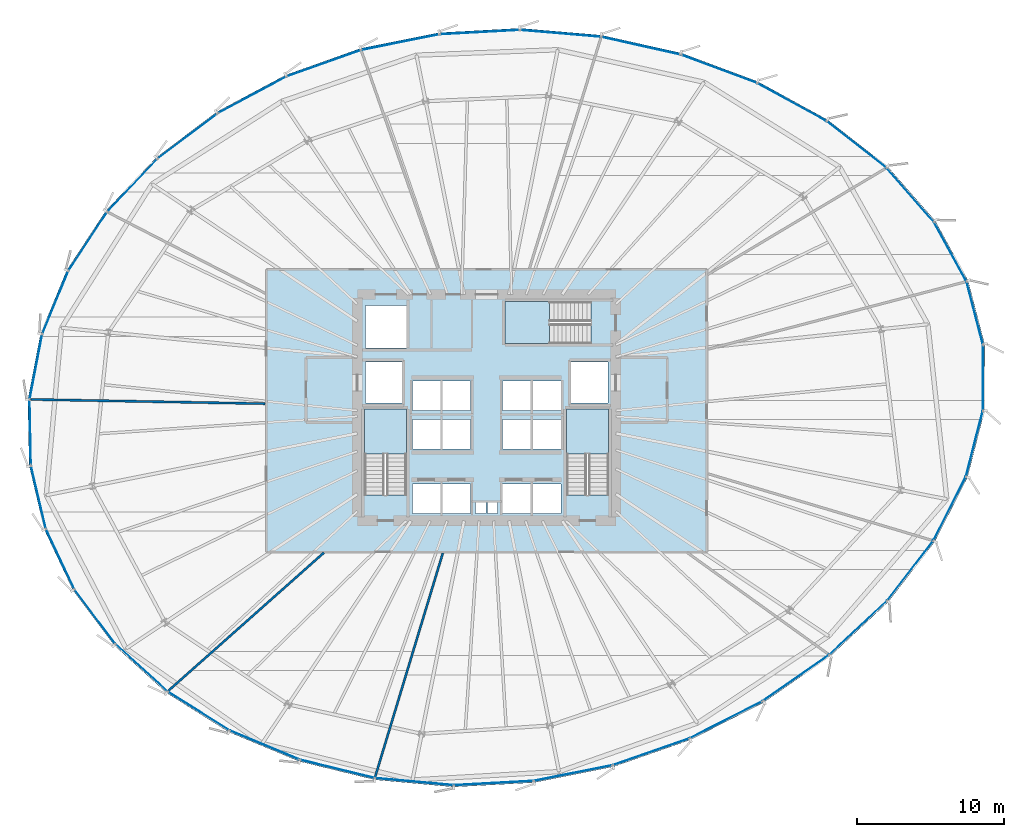
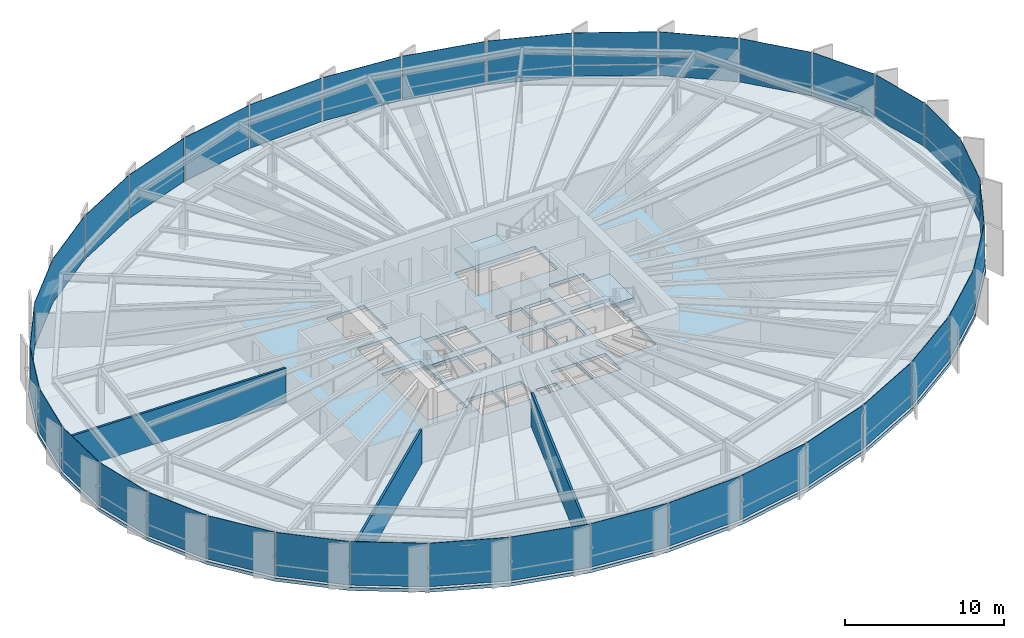
# One storey, part 29 of 37: 36 plates, 4 slabs, 3 walls, 9 elements without a shape of their own.
"""IFC4 building model written with IfcOpenShell, lengths in metres."""

from ifc_helpers import new_model, si_unit, direction, frame, frame_2d, origin, origin_2d, place, context, subcontext, project, spatial, polyline, rectangle, outline, extrude, source, transform, mapped, material, layer, layer_set, type_object, element, aggregate, save


model = new_model("IFC4")

# Units and contexts
model_context = context("Model", 3, precision=1e-05, world=origin(), true_north=direction((0.0, 1.0)))
body_context = subcontext(model_context, "Body", "Model", "MODEL_VIEW")
ifc_project = project(units=[si_unit("LENGTHUNIT", "METRE"), si_unit("AREAUNIT", "SQUARE_METRE"), si_unit("VOLUMEUNIT", "CUBIC_METRE"), si_unit("PLANEANGLEUNIT", "RADIAN"), si_unit("MASSUNIT", "GRAM", prefix="KILO"), si_unit("THERMODYNAMICTEMPERATUREUNIT", "KELVIN")], contexts=[model_context])

# Site, building, storey
site_placement = place(None, origin())
site = spatial("IfcSite", under=ifc_project, at=site_placement, CompositionType="ELEMENT")
building_placement = place(site_placement, origin())
building = spatial("IfcBuilding", under=site, at=building_placement, Name="Kethvar Cultural Tower", CompositionType="ELEMENT")
storey_placement = place(building_placement, frame((0.0, 0.0, 60.0)))
storey = spatial("IfcBuildingStorey", under=building, at=storey_placement, Name="L14", CompositionType="ELEMENT", Elevation=60.0)

# Stair, slab
ifc_material_1 = material(Name="Concrete C40/50", Category="concrete")
stair_type = type_object("IfcStairType", Name="ST-DOGLEG-135", PredefinedType="HALF_TURN_STAIR", material=ifc_material_1)
stair_1_placement = place(storey_placement, origin())
stair_1 = element("IfcStair", 1, at=stair_1_placement, inside=storey, type_object=stair_type, Name="L14 Core Exit Stair 1", PredefinedType="HALF_TURN_STAIR")
ifc_layer_1 = layer(ifc_material_1, 0.199951171875, Name="Concrete C40/50", Category="concrete")
ifc_layer_set_1 = layer_set([ifc_layer_1], Name="Concrete C40/50 (200 mm)")
slab_type_1 = type_object("IfcSlabType", Name="SL-STAIR-LANDING-200", PredefinedType="LANDING", material=ifc_layer_set_1)
slab_1_placement = place(storey_placement, frame((0.0, 0.0, 1.699951171875)))
slab_1 = element("IfcSlab", 2, at=slab_1_placement, type_object=slab_type_1, Name="ST-01 landing 1", PredefinedType="LANDING", context=body_context, shape_type="SweptSolid", body=[
    extrude(outline(polyline([(41.35009765625, 24.64990234375), (41.35009765625, 27.699951171875), (38.489990234375, 27.699951171875), (38.489990234375, 24.64990234375), (41.35009765625, 24.64990234375)])), origin(), (0.0, 0.0, 1.0), 0.199951171875),
])
aggregate(stair_1, [slab_1])

stair_2_placement = place(storey_placement, origin())
stair_2 = element("IfcStair", 3, at=stair_2_placement, inside=storey, type_object=stair_type, Name="L14 Core Exit Stair 2", PredefinedType="HALF_TURN_STAIR")
slab_2_placement = place(storey_placement, frame((0.0, 0.0, 1.699951171875)))
slab_2 = element("IfcSlab", 4, at=slab_2_placement, type_object=slab_type_1, Name="ST-02 landing 1", PredefinedType="LANDING", context=body_context, shape_type="SweptSolid", body=[
    extrude(outline(polyline([(55.110107421875, 24.64990234375), (55.110107421875, 27.699951171875), (52.25, 27.699951171875), (52.25, 24.64990234375), (55.110107421875, 24.64990234375)])), origin(), (0.0, 0.0, 1.0), 0.199951171875),
])
aggregate(stair_2, [slab_2])

stair_3_placement = place(storey_placement, origin())
stair_3 = element("IfcStair", 5, at=stair_3_placement, inside=storey, type_object=stair_type, Name="L14 Core Exit Stair 3", PredefinedType="HALF_TURN_STAIR")
slab_3_placement = place(storey_placement, frame((0.0, 0.0, 1.699951171875)))
slab_3 = element("IfcSlab", 6, at=slab_3_placement, type_object=slab_type_1, Name="ST-03 landing 1", PredefinedType="LANDING", context=body_context, shape_type="SweptSolid", body=[
    extrude(outline(polyline([(51.10009765625, 35.010009765625), (48.050048828125, 35.010009765625), (48.050048828125, 32.14990234375), (51.10009765625, 32.14990234375), (51.10009765625, 35.010009765625)])), origin(), (0.0, 0.0, 1.0), 0.199951171875),
])
aggregate(stair_3, [slab_3])

# Slab
ifc_layer_2 = layer(ifc_material_1, 0.25, Name="Concrete C40/50", Category="concrete")
ifc_layer_set_2 = layer_set([ifc_layer_2], Name="Concrete C40/50 (250 mm)")
slab_type_2 = type_object("IfcSlabType", Name="SL-TOW-250", PredefinedType="FLOOR", material=ifc_layer_set_2)
slab_4_placement = place(storey_placement, frame((0.0, 0.0, -0.25)))
element("IfcSlab", 7, at=slab_4_placement, inside=storey, type_object=slab_type_2, Name="L14 Structural Floor Slab", PredefinedType="FLOOR", context=body_context, shape_type="SweptSolid", body=[
    extrude(outline(polyline([(80.716796875, 32.084716796875), (79.57958984375, 36.444580078125), (77.3359375, 40.527587890625), (74.093505859375, 44.215087890625), (70.0078125, 47.402099609375), (65.265625, 49.99951171875), (60.06787109375, 51.935791015625), (54.60986328125, 53.156982421875), (49.06640625, 53.626708984375), (43.5751953125, 53.326904296875), (38.217041015625, 52.256103515625), (33.119384765625, 50.44189453125), (28.437744140625, 47.940185546875), (24.31396484375, 44.826171875), (20.873291015625, 41.195068359375), (18.220458984375, 37.15673828125), (16.43603515625, 32.834228515625), (15.57421875, 28.358642578125), (15.660888671875, 23.8662109375), (16.694091796875, 19.493408203125), (18.641845703125, 15.372802734375), (21.4453125, 11.6298828125), (25.01904296875, 8.378173828125), (29.254638671875, 5.716796875), (34.023193359375, 3.72607421875), (39.18017578125, 2.467041015625), (44.568603515625, 1.977783203125), (50.02490234375, 2.273193359375), (55.41796875, 3.348388671875), (60.67041015625, 5.181884765625), (65.6533203125, 7.721923828125), (70.206298828125, 10.89013671875), (74.153564453125, 14.585205078125), (77.318359375, 18.688232421875), (79.541748046875, 23.066162109375), (80.699462890625, 27.5791015625), (80.716796875, 32.084716796875)]), holes=[polyline([(38.489990234375, 21.85009765625), (38.489990234375, 27.699951171875), (41.35009765625, 27.699951171875), (41.35009765625, 21.85009765625), (38.489990234375, 21.85009765625)]), polyline([(52.25, 21.85009765625), (52.25, 27.699951171875), (55.110107421875, 27.699951171875), (55.110107421875, 21.85009765625), (52.25, 21.85009765625)]), polyline([(53.89990234375, 32.14990234375), (48.050048828125, 32.14990234375), (48.050048828125, 35.010009765625), (53.89990234375, 35.010009765625), (53.89990234375, 32.14990234375)]), polyline([(41.75, 22.60009765625), (43.64990234375, 22.60009765625), (43.64990234375, 20.60009765625), (41.75, 20.60009765625), (41.75, 22.60009765625)]), polyline([(43.800048828125, 22.60009765625), (45.699951171875, 22.60009765625), (45.699951171875, 20.60009765625), (43.800048828125, 20.60009765625), (43.800048828125, 22.60009765625)]), polyline([(47.89990234375, 22.60009765625), (49.800048828125, 22.60009765625), (49.800048828125, 20.60009765625), (47.89990234375, 20.60009765625), (47.89990234375, 22.60009765625)]), polyline([(49.949951171875, 22.60009765625), (51.85009765625, 22.60009765625), (51.85009765625, 20.60009765625), (49.949951171875, 20.60009765625), (49.949951171875, 22.60009765625)]), polyline([(41.75, 27.0), (43.64990234375, 27.0), (43.64990234375, 25.0), (41.75, 25.0), (41.75, 27.0)]), polyline([(43.800048828125, 27.0), (45.699951171875, 27.0), (45.699951171875, 25.0), (43.800048828125, 25.0), (43.800048828125, 27.0)]), polyline([(47.89990234375, 27.0), (49.800048828125, 27.0), (49.800048828125, 25.0), (47.89990234375, 25.0), (47.89990234375, 27.0)]), polyline([(49.949951171875, 27.0), (51.85009765625, 27.0), (51.85009765625, 25.0), (49.949951171875, 25.0), (49.949951171875, 27.0)]), polyline([(41.75, 29.60009765625), (43.64990234375, 29.60009765625), (43.64990234375, 27.60009765625), (41.75, 27.60009765625), (41.75, 29.60009765625)]), polyline([(43.800048828125, 29.60009765625), (45.699951171875, 29.60009765625), (45.699951171875, 27.60009765625), (43.800048828125, 27.60009765625), (43.800048828125, 29.60009765625)]), polyline([(47.89990234375, 29.60009765625), (49.800048828125, 29.60009765625), (49.800048828125, 27.60009765625), (47.89990234375, 27.60009765625), (47.89990234375, 29.60009765625)]), polyline([(49.949951171875, 29.60009765625), (51.85009765625, 29.60009765625), (51.85009765625, 27.60009765625), (49.949951171875, 27.60009765625), (49.949951171875, 29.60009765625)]), polyline([(38.550048828125, 30.89990234375), (41.050048828125, 30.89990234375), (41.050048828125, 28.10009765625), (38.550048828125, 28.10009765625), (38.550048828125, 30.89990234375)]), polyline([(52.550048828125, 30.89990234375), (55.050048828125, 30.89990234375), (55.050048828125, 28.10009765625), (52.550048828125, 28.10009765625), (52.550048828125, 30.89990234375)]), polyline([(38.550048828125, 34.75), (41.35009765625, 34.75), (41.35009765625, 31.85009765625), (38.550048828125, 31.85009765625), (38.550048828125, 34.75)]), polyline([(46.050048828125, 21.35009765625), (46.75, 21.35009765625), (46.75, 20.60009765625), (46.050048828125, 20.60009765625), (46.050048828125, 21.35009765625)]), polyline([(46.85009765625, 21.35009765625), (47.550048828125, 21.35009765625), (47.550048828125, 20.60009765625), (46.85009765625, 20.60009765625), (46.85009765625, 21.35009765625)])]), origin(), (0.0, 0.0, 1.0), 0.25),
])

# Curtain wall, plate
ifc_material_2 = material(Name="Aluminium 6063-T6", Category="aluminium")
ifc_layer_3 = layer(ifc_material_2, 0.179931640625, Name="Aluminium 6063-T6", Category="aluminium")
ifc_layer_set_3 = layer_set([ifc_layer_3], Name="Aluminium 6063-T6 (180 mm)")
curtain_wall_type = type_object("IfcCurtainWallType", Name="CW-SYS-02-Z1", PredefinedType="NOTDEFINED", material=ifc_layer_set_3)
curtain_wall_1_placement = place(storey_placement, origin())
curtain_wall_1 = element("IfcCurtainWall", 8, at=curtain_wall_1_placement, inside=storey, type_object=curtain_wall_type, Name="L14 Curtain Wall Run 03", PredefinedType="NOTDEFINED")
ifc_material_3 = material(Name="Insulated Low-E Solar Glass", Category="glass")
ifc_layer_4 = layer(ifc_material_3, 0.031982421875, Name="Insulated Low-E Solar Glass", Category="glass")
ifc_layer_set_4 = layer_set([ifc_layer_4], Name="Insulated Low-E Solar Glass (32 mm)")
plate_type = type_object("IfcPlateType", Name="CW-SYS-02-Z1-PNL", PredefinedType="CURTAIN_PANEL", material=ifc_layer_set_4)
shared_shape_1 = source(origin(), body_context, "Body", "SweptSolid", [
    extrude(rectangle(XDim=4.464111328125, YDim=0.031982421875, at=origin_2d()), origin(), (0.0, 0.0, 1.0), 3.35009765625),
])
plate_1_placement = place(storey_placement, frame((16.122802734375, 30.57373046875, 0.099853515625), z_axis=(0.0, 0.0, 1.0), x_axis=(-0.189112581374, -0.981955412209, 0.0)))
plate_1 = element("IfcPlate", 9, at=plate_1_placement, type_object=plate_type, Name="CW-L14-R03 Vision Glazing Panel 5", PredefinedType="CURTAIN_PANEL", context=body_context, shape_type="MappedRepresentation", body=[
    mapped(shared_shape_1, transform((0.0, 0.0, 0.0), scale=1.0)),
])

curtain_wall_2_placement = place(storey_placement, origin())
curtain_wall_2 = element("IfcCurtainWall", 10, at=curtain_wall_2_placement, inside=storey, type_object=curtain_wall_type, Name="L14 Curtain Wall Run 04", PredefinedType="NOTDEFINED")
plate_2_placement = place(storey_placement, frame((17.776611328125, 17.484375, 0.099853515625), z_axis=(0.0, 0.0, 1.0), x_axis=(0.427357863387, -0.904082549661, 0.0)))
plate_2 = element("IfcPlate", 11, at=plate_2_placement, type_object=plate_type, Name="CW-L14-R04 Vision Glazing Panel 2", PredefinedType="CURTAIN_PANEL", context=body_context, shape_type="MappedRepresentation", body=[
    mapped(shared_shape_1, transform((0.0, 0.0, 0.0), scale=1.0)),
])

curtain_wall_3_placement = place(storey_placement, origin())
curtain_wall_3 = element("IfcCurtainWall", 12, at=curtain_wall_3_placement, inside=storey, type_object=curtain_wall_type, Name="L14 Curtain Wall Run 01", PredefinedType="NOTDEFINED")
shared_shape_2 = source(origin(), body_context, "Body", "SweptSolid", [
    extrude(rectangle(XDim=4.412109375, YDim=0.031982421875, at=origin_2d()), origin(), (0.0, 0.0, 1.0), 3.35009765625),
])
plate_3_placement = place(storey_placement, frame((80.031982421875, 34.234375, 0.099853515625), z_axis=(0.0, 0.0, 1.0), x_axis=(-0.252440913299, 0.967612311462, 0.0)))
plate_3 = element("IfcPlate", 13, at=plate_3_placement, type_object=plate_type, Name="CW-L14-R01 Vision Glazing Panel 1", PredefinedType="CURTAIN_PANEL", context=body_context, shape_type="MappedRepresentation", body=[
    mapped(shared_shape_2, transform((0.0, 0.0, 0.0), scale=1.0)),
])

curtain_wall_4_placement = place(storey_placement, origin())
curtain_wall_4 = element("IfcCurtainWall", 14, at=curtain_wall_4_placement, inside=storey, type_object=curtain_wall_type, Name="L14 Curtain Wall Run 06", PredefinedType="NOTDEFINED")
plate_4_placement = place(storey_placement, frame((80.588134765625, 29.83251953125, 0.099853515625), z_axis=(0.0, 0.0, 1.0), x_axis=(0.003857168083, 0.9999925611, 0.0)))
plate_4 = element("IfcPlate", 15, at=plate_4_placement, type_object=plate_type, Name="CW-L14-R06 Vision Glazing Panel 6", PredefinedType="CURTAIN_PANEL", context=body_context, shape_type="MappedRepresentation", body=[
    mapped(shared_shape_2, transform((0.0, 0.0, 0.0), scale=1.0)),
])

# Plate
shared_shape_3 = source(origin(), body_context, "Body", "SweptSolid", [
    extrude(rectangle(XDim=4.565185546875, YDim=0.031982421875, at=origin_2d()), origin(), (0.0, 0.0, 1.0), 3.35009765625),
])
plate_5_placement = place(storey_placement, frame((78.3525390625, 38.42822265625, 0.099853515625), z_axis=(0.0, 0.0, 1.0), x_axis=(-0.481570130295, 0.876407559077, 0.0)))
plate_5 = element("IfcPlate", 16, at=plate_5_placement, type_object=plate_type, Name="CW-L14-R01 Vision Glazing Panel 2", PredefinedType="CURTAIN_PANEL", context=body_context, shape_type="MappedRepresentation", body=[
    mapped(shared_shape_3, transform((0.0, 0.0, 0.0), scale=1.0)),
])

shared_shape_4 = source(origin(), body_context, "Body", "SweptSolid", [
    extrude(rectangle(XDim=4.816650390625, YDim=0.031982421875, at=origin_2d()), origin(), (0.0, 0.0, 1.0), 3.35009765625),
])
plate_6_placement = place(storey_placement, frame((75.624755859375, 42.2919921875, 0.099853515625), z_axis=(0.0, 0.0, 1.0), x_axis=(-0.660316298834, 0.750987606751, 0.0)))
plate_6 = element("IfcPlate", 17, at=plate_6_placement, type_object=plate_type, Name="CW-L14-R01 Vision Glazing Panel 3", PredefinedType="CURTAIN_PANEL", context=body_context, shape_type="MappedRepresentation", body=[
    mapped(shared_shape_4, transform((0.0, 0.0, 0.0), scale=1.0)),
])

plate_7_placement = place(storey_placement, frame((78.322998046875, 20.931640625, 0.099853515625), z_axis=(0.0, 0.0, 1.0), x_axis=(0.452808224885, 0.891607935966, 0.0)))
plate_7 = element("IfcPlate", 18, at=plate_7_placement, type_object=plate_type, Name="CW-L14-R06 Vision Glazing Panel 4", PredefinedType="CURTAIN_PANEL", context=body_context, shape_type="MappedRepresentation", body=[
    mapped(shared_shape_4, transform((0.0, 0.0, 0.0), scale=1.0)),
])

shared_shape_5 = source(origin(), body_context, "Body", "SweptSolid", [
    extrude(rectangle(XDim=5.088134765625, YDim=0.031982421875, at=origin_2d()), origin(), (0.0, 0.0, 1.0), 3.35009765625),
])
plate_8_placement = place(storey_placement, frame((71.976806640625, 45.714111328125, 0.099853515625), z_axis=(0.0, 0.0, 1.0), x_axis=(-0.788504784301, 0.615028621394, 0.0)))
plate_8 = element("IfcPlate", 19, at=plate_8_placement, type_object=plate_type, Name="CW-L14-R01 Vision Glazing Panel 4", PredefinedType="CURTAIN_PANEL", context=body_context, shape_type="MappedRepresentation", body=[
    mapped(shared_shape_5, transform((0.0, 0.0, 0.0), scale=1.0)),
])

plate_9_placement = place(storey_placement, frame((75.64111328125, 16.7099609375, 0.099853515625), z_axis=(0.0, 0.0, 1.0), x_axis=(0.610781058086, 0.791799532131, 0.0)))
plate_9 = element("IfcPlate", 20, at=plate_9_placement, type_object=plate_type, Name="CW-L14-R06 Vision Glazing Panel 3", PredefinedType="CURTAIN_PANEL", context=body_context, shape_type="MappedRepresentation", body=[
    mapped(shared_shape_5, transform((0.0, 0.0, 0.0), scale=1.0)),
])

shared_shape_6 = source(origin(), body_context, "Body", "SweptSolid", [
    extrude(rectangle(XDim=5.313232421875, YDim=0.031982421875, at=origin_2d()), origin(), (0.0, 0.0, 1.0), 3.35009765625),
])
plate_10_placement = place(storey_placement, frame((67.5791015625, 48.595703125, 0.099853515625), z_axis=(0.0, 0.0, 1.0), x_axis=(-0.877045566694, 0.480407195972, 0.0)))
plate_10 = element("IfcPlate", 21, at=plate_10_placement, type_object=plate_type, Name="CW-L14-R01 Vision Glazing Panel 5", PredefinedType="CURTAIN_PANEL", context=body_context, shape_type="MappedRepresentation", body=[
    mapped(shared_shape_6, transform((0.0, 0.0, 0.0), scale=1.0)),
])

plate_11_placement = place(storey_placement, frame((72.097900390625, 12.8251953125, 0.099853515625), z_axis=(0.0, 0.0, 1.0), x_axis=(0.730031084018, 0.683413942181, 0.0)))
plate_11 = element("IfcPlate", 22, at=plate_11_placement, type_object=plate_type, Name="CW-L14-R06 Vision Glazing Panel 2", PredefinedType="CURTAIN_PANEL", context=body_context, shape_type="MappedRepresentation", body=[
    mapped(shared_shape_6, transform((0.0, 0.0, 0.0), scale=1.0)),
])

shared_shape_7 = source(origin(), body_context, "Body", "SweptSolid", [
    extrude(rectangle(XDim=5.453125, YDim=0.031982421875, at=origin_2d()), origin(), (0.0, 0.0, 1.0), 3.35009765625),
])
plate_12_placement = place(storey_placement, frame((62.625, 50.855224609375, 0.099853515625), z_axis=(0.0, 0.0, 1.0), x_axis=(-0.937087163963, 0.349095469945, 0.0)))
plate_12 = element("IfcPlate", 23, at=plate_12_placement, type_object=plate_type, Name="CW-L14-R01 Vision Glazing Panel 6", PredefinedType="CURTAIN_PANEL", context=body_context, shape_type="MappedRepresentation", body=[
    mapped(shared_shape_7, transform((0.0, 0.0, 0.0), scale=1.0)),
])

aggregate(curtain_wall_3, [plate_3, plate_5, plate_6, plate_8, plate_10, plate_12])

plate_13_placement = place(storey_placement, frame((67.861083984375, 9.404541015625, 0.099853515625), z_axis=(0.0, 0.0, 1.0), x_axis=(0.820840303202, 0.571157768606, 0.0)))
plate_13 = element("IfcPlate", 24, at=plate_13_placement, type_object=plate_type, Name="CW-L14-R06 Vision Glazing Panel 1", PredefinedType="CURTAIN_PANEL", context=body_context, shape_type="MappedRepresentation", body=[
    mapped(shared_shape_7, transform((0.0, 0.0, 0.0), scale=1.0)),
])

# Curtain wall, plate
curtain_wall_5_placement = place(storey_placement, origin())
curtain_wall_5 = element("IfcCurtainWall", 25, at=curtain_wall_5_placement, inside=storey, type_object=curtain_wall_type, Name="L14 Curtain Wall Run 02", PredefinedType="NOTDEFINED")
shared_shape_8 = source(origin(), body_context, "Body", "SweptSolid", [
    extrude(rectangle(XDim=5.499267578125, YDim=0.031982421875, at=origin_2d()), origin(), (0.0, 0.0, 1.0), 3.35009765625),
])
plate_14_placement = place(storey_placement, frame((57.3125, 52.42919921875, 0.099853515625), z_axis=(0.0, 0.0, 1.0), x_axis=(-0.975878673897, 0.21831356768, 0.0)))
plate_14 = element("IfcPlate", 26, at=plate_14_placement, type_object=plate_type, Name="CW-L14-R02 Vision Glazing Panel 1", PredefinedType="CURTAIN_PANEL", context=body_context, shape_type="MappedRepresentation", body=[
    mapped(shared_shape_8, transform((0.0, 0.0, 0.0), scale=1.0)),
])

curtain_wall_6_placement = place(storey_placement, origin())
curtain_wall_6 = element("IfcCurtainWall", 27, at=curtain_wall_6_placement, inside=storey, type_object=curtain_wall_type, Name="L14 Curtain Wall Run 05", PredefinedType="NOTDEFINED")
plate_15_placement = place(storey_placement, frame((63.107421875, 6.558837890625, 0.099853515625), z_axis=(0.0, 0.0, 1.0), x_axis=(0.890927274328, 0.454146002799, 0.0)))
plate_15 = element("IfcPlate", 28, at=plate_15_placement, type_object=plate_type, Name="CW-L14-R05 Vision Glazing Panel 6", PredefinedType="CURTAIN_PANEL", context=body_context, shape_type="MappedRepresentation", body=[
    mapped(shared_shape_8, transform((0.0, 0.0, 0.0), scale=1.0)),
])

# Plate
shared_shape_9 = source(origin(), body_context, "Body", "SweptSolid", [
    extrude(rectangle(XDim=5.4697265625, YDim=0.031982421875, at=origin_2d()), origin(), (0.0, 0.0, 1.0), 3.35009765625),
])
plate_16_placement = place(storey_placement, frame((51.827880859375, 53.272216796875, 0.099853515625), z_axis=(0.0, 0.0, 1.0), x_axis=(-0.996429779108, 0.084425679196, 0.0)))
plate_16 = element("IfcPlate", 29, at=plate_16_placement, type_object=plate_type, Name="CW-L14-R02 Vision Glazing Panel 2", PredefinedType="CURTAIN_PANEL", context=body_context, shape_type="MappedRepresentation", body=[
    mapped(shared_shape_9, transform((0.0, 0.0, 0.0), scale=1.0)),
])

shared_shape_10 = source(origin(), body_context, "Body", "SweptSolid", [
    extrude(rectangle(XDim=5.405517578125, YDim=0.031982421875, at=origin_2d()), origin(), (0.0, 0.0, 1.0), 3.35009765625),
])
plate_17_placement = place(storey_placement, frame((46.327392578125, 53.35693359375, 0.099853515625), z_axis=(0.0, 0.0, 1.0), x_axis=(-0.998513930245, -0.054497074291, 0.0)))
plate_17 = element("IfcPlate", 30, at=plate_17_placement, type_object=plate_type, Name="CW-L14-R02 Vision Glazing Panel 3", PredefinedType="CURTAIN_PANEL", context=body_context, shape_type="MappedRepresentation", body=[
    mapped(shared_shape_10, transform((0.0, 0.0, 0.0), scale=1.0)),
])

plate_18_placement = place(storey_placement, frame((52.697998046875, 2.928466796875, 0.099853515625), z_axis=(0.0, 0.0, 1.0), x_axis=(0.980696650244, 0.195535368157, 0.0)))
plate_18 = element("IfcPlate", 31, at=plate_18_placement, type_object=plate_type, Name="CW-L14-R05 Vision Glazing Panel 4", PredefinedType="CURTAIN_PANEL", context=body_context, shape_type="MappedRepresentation", body=[
    mapped(shared_shape_10, transform((0.0, 0.0, 0.0), scale=1.0)),
])

shared_shape_11 = source(origin(), body_context, "Body", "SweptSolid", [
    extrude(rectangle(XDim=5.37060546875, YDim=0.031982421875, at=origin_2d()), origin(), (0.0, 0.0, 1.0), 3.35009765625),
])
plate_19_placement = place(storey_placement, frame((40.919677734375, 52.673828125, 0.099853515625), z_axis=(0.0, 0.0, 1.0), x_axis=(-0.980607818138, -0.195980374032, 0.0)))
plate_19 = element("IfcPlate", 32, at=plate_19_placement, type_object=plate_type, Name="CW-L14-R02 Vision Glazing Panel 4", PredefinedType="CURTAIN_PANEL", context=body_context, shape_type="MappedRepresentation", body=[
    mapped(shared_shape_11, transform((0.0, 0.0, 0.0), scale=1.0)),
])

plate_20_placement = place(storey_placement, frame((47.290283203125, 2.245361328125, 0.099853515625), z_axis=(0.0, 0.0, 1.0), x_axis=(0.998538557425, 0.054043957447, 0.0)))
plate_20 = element("IfcPlate", 33, at=plate_20_placement, type_object=plate_type, Name="CW-L14-R05 Vision Glazing Panel 3", PredefinedType="CURTAIN_PANEL", context=body_context, shape_type="MappedRepresentation", body=[
    mapped(shared_shape_11, transform((0.0, 0.0, 0.0), scale=1.0)),
])

shared_shape_12 = source(origin(), body_context, "Body", "SweptSolid", [
    extrude(rectangle(XDim=5.317138671875, YDim=0.031982421875, at=origin_2d()), origin(), (0.0, 0.0, 1.0), 3.35009765625),
])
plate_21_placement = place(storey_placement, frame((35.70849609375, 51.236083984375, 0.099853515625), z_axis=(0.0, 0.0, 1.0), x_axis=(-0.942121837503, -0.335270701522, 0.0)))
plate_21 = element("IfcPlate", 34, at=plate_21_placement, type_object=plate_type, Name="CW-L14-R02 Vision Glazing Panel 5", PredefinedType="CURTAIN_PANEL", context=body_context, shape_type="MappedRepresentation", body=[
    mapped(shared_shape_12, transform((0.0, 0.0, 0.0), scale=1.0)),
])

shared_shape_13 = source(origin(), body_context, "Body", "SweptSolid", [
    extrude(rectangle(XDim=5.214599609375, YDim=0.031982421875, at=origin_2d()), origin(), (0.0, 0.0, 1.0), 3.35009765625),
])
plate_22_placement = place(storey_placement, frame((30.835205078125, 49.085205078125, 0.099853515625), z_axis=(0.0, 0.0, 1.0), x_axis=(-0.881962398116, -0.471319772882, 0.0)))
plate_22 = element("IfcPlate", 35, at=plate_22_placement, type_object=plate_type, Name="CW-L14-R02 Vision Glazing Panel 6", PredefinedType="CURTAIN_PANEL", context=body_context, shape_type="MappedRepresentation", body=[
    mapped(shared_shape_13, transform((0.0, 0.0, 0.0), scale=1.0)),
])

aggregate(curtain_wall_5, [plate_14, plate_16, plate_17, plate_19, plate_21, plate_22])

shared_shape_14 = source(origin(), body_context, "Body", "SweptSolid", [
    extrude(rectangle(XDim=5.073974609375, YDim=0.031982421875, at=origin_2d()), origin(), (0.0, 0.0, 1.0), 3.35009765625),
])
plate_23_placement = place(storey_placement, frame((26.4482421875, 46.287353515625, 0.099853515625), z_axis=(0.0, 0.0, 1.0), x_axis=(-0.798046924077, -0.602595309451, 0.0)))
plate_23 = element("IfcPlate", 36, at=plate_23_placement, type_object=plate_type, Name="CW-L14-R03 Vision Glazing Panel 1", PredefinedType="CURTAIN_PANEL", context=body_context, shape_type="MappedRepresentation", body=[
    mapped(shared_shape_14, transform((0.0, 0.0, 0.0), scale=1.0)),
])

plate_24_placement = place(storey_placement, frame((31.685302734375, 4.832275390625, 0.099853515625), z_axis=(0.0, 0.0, 1.0), x_axis=(0.92282744886, -0.385213576644, 0.0)))
plate_24 = element("IfcPlate", 37, at=plate_24_placement, type_object=plate_type, Name="CW-L14-R04 Vision Glazing Panel 6", PredefinedType="CURTAIN_PANEL", context=body_context, shape_type="MappedRepresentation", body=[
    mapped(shared_shape_14, transform((0.0, 0.0, 0.0), scale=1.0)),
])

shared_shape_15 = source(origin(), body_context, "Body", "SweptSolid", [
    extrude(rectangle(XDim=4.90869140625, YDim=0.031982421875, at=origin_2d()), origin(), (0.0, 0.0, 1.0), 3.35009765625),
])
plate_25_placement = place(storey_placement, frame((22.6806640625, 42.927978515625, 0.099853515625), z_axis=(0.0, 0.0, 1.0), x_axis=(-0.687797325246, -0.725902775435, 0.0)))
plate_25 = element("IfcPlate", 38, at=plate_25_placement, type_object=plate_type, Name="CW-L14-R03 Vision Glazing Panel 2", PredefinedType="CURTAIN_PANEL", context=body_context, shape_type="MappedRepresentation", body=[
    mapped(shared_shape_15, transform((0.0, 0.0, 0.0), scale=1.0)),
])

plate_26_placement = place(storey_placement, frame((27.20068359375, 7.149169921875, 0.099853515625), z_axis=(0.0, 0.0, 1.0), x_axis=(0.846713586818, -0.532048965695, 0.0)))
plate_26 = element("IfcPlate", 39, at=plate_26_placement, type_object=plate_type, Name="CW-L14-R04 Vision Glazing Panel 5", PredefinedType="CURTAIN_PANEL", context=body_context, shape_type="MappedRepresentation", body=[
    mapped(shared_shape_15, transform((0.0, 0.0, 0.0), scale=1.0)),
])

shared_shape_16 = source(origin(), body_context, "Body", "SweptSolid", [
    extrude(rectangle(XDim=4.738037109375, YDim=0.031982421875, at=origin_2d()), origin(), (0.0, 0.0, 1.0), 3.35009765625),
])
plate_27_placement = place(storey_placement, frame((19.647216796875, 39.10986328125, 0.099853515625), z_axis=(0.0, 0.0, 1.0), x_axis=(-0.549037405505, -0.835797778985, 0.0)))
plate_27 = element("IfcPlate", 40, at=plate_27_placement, type_object=plate_type, Name="CW-L14-R03 Vision Glazing Panel 3", PredefinedType="CURTAIN_PANEL", context=body_context, shape_type="MappedRepresentation", body=[
    mapped(shared_shape_16, transform((0.0, 0.0, 0.0), scale=1.0)),
])

shared_shape_17 = source(origin(), body_context, "Body", "SweptSolid", [
    extrude(rectangle(XDim=4.582763671875, YDim=0.031982421875, at=origin_2d()), origin(), (0.0, 0.0, 1.0), 3.35009765625),
])
plate_28_placement = place(storey_placement, frame((17.439208984375, 34.94970703125, 0.099853515625), z_axis=(0.0, 0.0, 1.0), x_axis=(-0.381602813403, -0.924326399495, 0.0)))
plate_28 = element("IfcPlate", 41, at=plate_28_placement, type_object=plate_type, Name="CW-L14-R03 Vision Glazing Panel 4", PredefinedType="CURTAIN_PANEL", context=body_context, shape_type="MappedRepresentation", body=[
    mapped(shared_shape_17, transform((0.0, 0.0, 0.0), scale=1.0)),
])

plate_29_placement = place(storey_placement, frame((20.1396484375, 13.5732421875, 0.099853515625), z_axis=(0.0, 0.0, 1.0), x_axis=(0.599484687295, -0.80038622533, 0.0)))
plate_29 = element("IfcPlate", 42, at=plate_29_placement, type_object=plate_type, Name="CW-L14-R04 Vision Glazing Panel 3", PredefinedType="CURTAIN_PANEL", context=body_context, shape_type="MappedRepresentation", body=[
    mapped(shared_shape_17, transform((0.0, 0.0, 0.0), scale=1.0)),
])

shared_shape_18 = source(origin(), body_context, "Body", "SweptSolid", [
    extrude(rectangle(XDim=4.399658203125, YDim=0.031982421875, at=origin_2d()), origin(), (0.0, 0.0, 1.0), 3.35009765625),
])
plate_30_placement = place(storey_placement, frame((15.737548828125, 26.11474609375, 0.099853515625), z_axis=(0.0, 0.0, 1.0), x_axis=(0.019337042821, -0.999813021907, 0.0)))
plate_30 = element("IfcPlate", 43, at=plate_30_placement, type_object=plate_type, Name="CW-L14-R03 Vision Glazing Panel 6", PredefinedType="CURTAIN_PANEL", context=body_context, shape_type="MappedRepresentation", body=[
    mapped(shared_shape_18, transform((0.0, 0.0, 0.0), scale=1.0)),
])

aggregate(curtain_wall_1, [plate_23, plate_25, plate_27, plate_28, plate_1, plate_30])

plate_31_placement = place(storey_placement, frame((16.294189453125, 21.707275390625, 0.099853515625), z_axis=(0.0, 0.0, 1.0), x_axis=(0.229913853542, -0.973210984294, 0.0)))
plate_31 = element("IfcPlate", 44, at=plate_31_placement, type_object=plate_type, Name="CW-L14-R04 Vision Glazing Panel 1", PredefinedType="CURTAIN_PANEL", context=body_context, shape_type="MappedRepresentation", body=[
    mapped(shared_shape_18, transform((0.0, 0.0, 0.0), scale=1.0)),
])

shared_shape_19 = source(origin(), body_context, "Body", "SweptSolid", [
    extrude(rectangle(XDim=4.73779296875, YDim=0.031982421875, at=origin_2d()), origin(), (0.0, 0.0, 1.0), 3.35009765625),
])
plate_32_placement = place(storey_placement, frame((23.31298828125, 10.0927734375, 0.099853515625), z_axis=(0.0, 0.0, 1.0), x_axis=(0.739654587097, -0.672986695104, 0.0)))
plate_32 = element("IfcPlate", 45, at=plate_32_placement, type_object=plate_type, Name="CW-L14-R04 Vision Glazing Panel 4", PredefinedType="CURTAIN_PANEL", context=body_context, shape_type="MappedRepresentation", body=[
    mapped(shared_shape_19, transform((0.0, 0.0, 0.0), scale=1.0)),
])

aggregate(curtain_wall_2, [plate_31, plate_2, plate_29, plate_32, plate_26, plate_24])

shared_shape_20 = source(origin(), body_context, "Body", "SweptSolid", [
    extrude(rectangle(XDim=5.21484375, YDim=0.031982421875, at=origin_2d()), origin(), (0.0, 0.0, 1.0), 3.35009765625),
])
plate_33_placement = place(storey_placement, frame((36.630126953125, 3.213134765625, 0.099853515625), z_axis=(0.0, 0.0, 1.0), x_axis=(0.9714663887, -0.23717726625, 0.0)))
plate_33 = element("IfcPlate", 46, at=plate_33_placement, type_object=plate_type, Name="CW-L14-R05 Vision Glazing Panel 1", PredefinedType="CURTAIN_PANEL", context=body_context, shape_type="MappedRepresentation", body=[
    mapped(shared_shape_20, transform((0.0, 0.0, 0.0), scale=1.0)),
])

shared_shape_21 = source(origin(), body_context, "Body", "SweptSolid", [
    extrude(rectangle(XDim=5.31689453125, YDim=0.031982421875, at=origin_2d()), origin(), (0.0, 0.0, 1.0), 3.35009765625),
])
plate_34_placement = place(storey_placement, frame((41.88525390625, 2.341796875, 0.099853515625), z_axis=(0.0, 0.0, 1.0), x_axis=(0.995901780469, -0.09044138245, 0.0)))
plate_34 = element("IfcPlate", 47, at=plate_34_placement, type_object=plate_type, Name="CW-L14-R05 Vision Glazing Panel 2", PredefinedType="CURTAIN_PANEL", context=body_context, shape_type="MappedRepresentation", body=[
    mapped(shared_shape_21, transform((0.0, 0.0, 0.0), scale=1.0)),
])

shared_shape_22 = source(origin(), body_context, "Body", "SweptSolid", [
    extrude(rectangle(XDim=5.469970703125, YDim=0.031982421875, at=origin_2d()), origin(), (0.0, 0.0, 1.0), 3.35009765625),
])
plate_35_placement = place(storey_placement, frame((58.004638671875, 4.37841796875, 0.099853515625), z_axis=(0.0, 0.0, 1.0), x_axis=(0.944129292658, 0.32957530057, 0.0)))
plate_35 = element("IfcPlate", 48, at=plate_35_placement, type_object=plate_type, Name="CW-L14-R05 Vision Glazing Panel 5", PredefinedType="CURTAIN_PANEL", context=body_context, shape_type="MappedRepresentation", body=[
    mapped(shared_shape_22, transform((0.0, 0.0, 0.0), scale=1.0)),
])

aggregate(curtain_wall_6, [plate_33, plate_34, plate_20, plate_18, plate_35, plate_15])

shared_shape_23 = source(origin(), body_context, "Body", "SweptSolid", [
    extrude(rectangle(XDim=4.5654296875, YDim=0.031982421875, at=origin_2d()), origin(), (0.0, 0.0, 1.0), 3.35009765625),
])
plate_36_placement = place(storey_placement, frame((80.00439453125, 25.3525390625, 0.099853515625), z_axis=(0.0, 0.0, 1.0), x_axis=(0.248487022129, 0.968635225373, 0.0)))
plate_36 = element("IfcPlate", 49, at=plate_36_placement, type_object=plate_type, Name="CW-L14-R06 Vision Glazing Panel 5", PredefinedType="CURTAIN_PANEL", context=body_context, shape_type="MappedRepresentation", body=[
    mapped(shared_shape_23, transform((0.0, 0.0, 0.0), scale=1.0)),
])

aggregate(curtain_wall_4, [plate_13, plate_11, plate_9, plate_7, plate_36, plate_4])

# Walls
ifc_material_4 = material(Name="Gypsum Acoustic Partition")
ifc_layer_5 = layer(ifc_material_4, 0.14990234375, Name="Gypsum Acoustic Partition")
ifc_layer_set_5 = layer_set([ifc_layer_5], Name="Gypsum Acoustic Partition (150 mm)")
wall_type = type_object("IfcWallType", Name="WL-PART-150", PredefinedType="PARTITIONING", material=ifc_layer_set_5)
wall_1_placement = place(storey_placement, frame((35.727294921875, 17.927001953125, 0.0), z_axis=(0.0, 0.0, 1.0), x_axis=(-0.747915570014, -0.663793868706, 0.0)))
element("IfcWall", 50, at=wall_1_placement, inside=storey, type_object=wall_type, Name="L14 Radial Partition Wall 01", PredefinedType="PARTITIONING", context=body_context, shape_type="SweptSolid", body=[
    extrude(rectangle(XDim=14.122314453125, YDim=0.14990234375, at=frame_2d((7.06103515625, 0.0))), origin(), (0.0, 0.0, 1.0), 2.64501953125),
])
wall_2_placement = place(storey_placement, frame((43.822998046875, 17.9033203125, 0.0), z_axis=(0.0, 0.0, 1.0), x_axis=(-0.289464136663, -0.957188859936, 0.0)))
element("IfcWall", 51, at=wall_2_placement, inside=storey, type_object=wall_type, Name="L14 Radial Partition Wall 02", PredefinedType="PARTITIONING", context=body_context, shape_type="SweptSolid", body=[
    extrude(rectangle(XDim=15.891845703125, YDim=0.14990234375, at=frame_2d((7.94580078125, 0.0))), origin(), (0.0, 0.0, 1.0), 2.64501953125),
])
wall_3_placement = place(storey_placement, frame((31.72998046875, 28.069580078125, 0.0), z_axis=(0.0, 0.0, 1.0), x_axis=(-0.999835040305, 0.018162934185, 0.0)))
element("IfcWall", 52, at=wall_3_placement, inside=storey, type_object=wall_type, Name="L14 Radial Partition Wall 10", PredefinedType="PARTITIONING", context=body_context, shape_type="SweptSolid", body=[
    extrude(rectangle(XDim=15.928466796875, YDim=0.14990234375, at=frame_2d((7.96435546875, 0.0))), origin(), (0.0, 0.0, 1.0), 2.64501953125),
])

save(model, "model.ifc")
